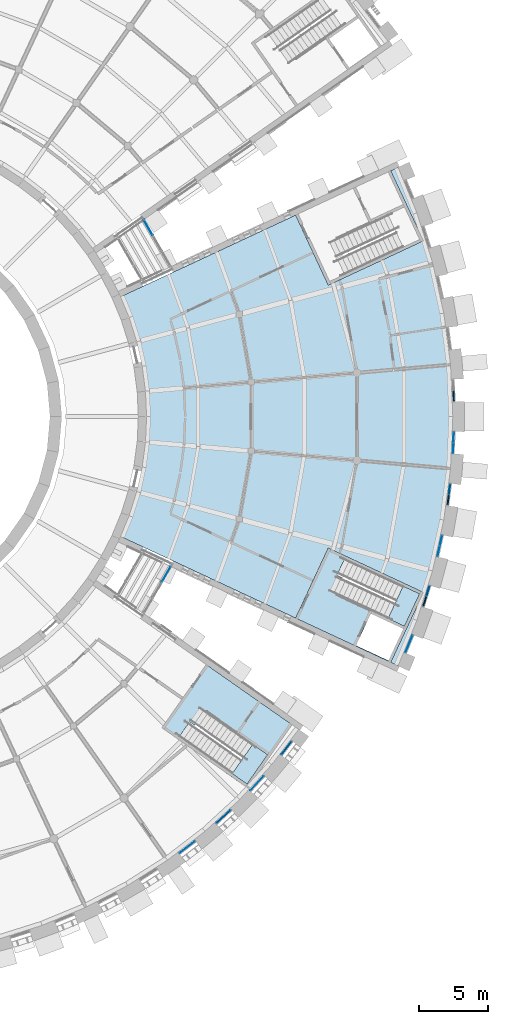
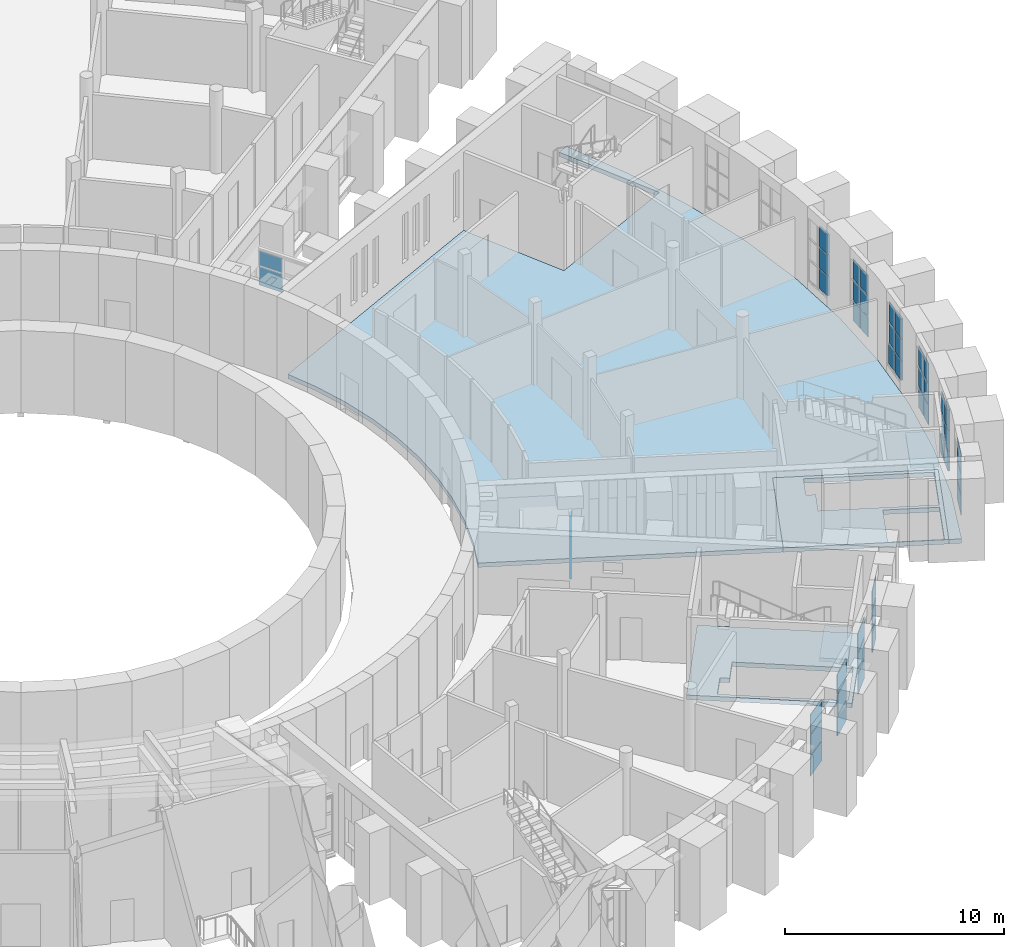
# One storey, part 32 of 66: 47 plates, 5 slabs, 14 elements without a shape of their own.
"""IFC4 building model written with IfcOpenShell, lengths in metres."""

import ifcopenshell
import ifcopenshell.guid

model = None  # the IFC model being written
_history = None  # IfcOwnerHistory: only IFC2X3 demands one
_inside = {}  # id of a spatial element -> (the spatial element, [elements in it])
_under = {}  # id of a project, library or spatial element -> (it, [spatial elements below it])
_declared = {}  # id of a project -> (the project, [libraries it declares])
_typed = {}  # id of a type object -> (the type object, [elements of that type])
_made_of = {}  # id of a material, layer set ... -> (it, [elements and type objects made of it])


def new_model(schema):
    """Start an empty IFC model of exactly this schema.

    Asked for "IFC4X3", IfcOpenShell would pick the latest addendum, in which some entities
    have other attributes; the version numbers below select the first issue.
    IFC2X3 requires an IfcOwnerHistory on every rooted entity: one is made here for all.
    """
    global model, _history
    if schema == "IFC4X3":
        model = ifcopenshell.file(schema_version=(4, 3, 0, 0))
    else:
        model = ifcopenshell.file(schema=schema)
    _inside.clear()
    _under.clear()
    _declared.clear()
    _typed.clear()
    _made_of.clear()
    _history = None
    if model.schema == "IFC2X3":
        org = make("IfcOrganization", Name="unknown")
        user = make(
            "IfcPersonAndOrganization",
            ThePerson=make("IfcPerson", FamilyName="unknown"),
            TheOrganization=org,
        )
        app = make(
            "IfcApplication",
            ApplicationDeveloper=org,
            Version="unknown",
            ApplicationFullName="unknown",
            ApplicationIdentifier="unknown",
        )
        _history = make(
            "IfcOwnerHistory",
            OwningUser=user,
            OwningApplication=app,
            ChangeAction="ADDED",
            CreationDate=0,
        )
    return model


def make(cls, **values):
    """One entity of the class cls with the attributes given. An attribute that is None is left unset."""
    return model.create_entity(
        cls, **{name: value for name, value in values.items() if value is not None}
    )


def rooted(cls, **values):
    """An entity with a GlobalId (a new one), such as an element, a storey or a relation."""
    return make(cls, GlobalId=ifcopenshell.guid.new(), OwnerHistory=_history, **values)


def si_unit(unit_type, name, prefix=None):
    """IfcSIUnit, for example si_unit("LENGTHUNIT", "METRE", prefix="MILLI")."""
    return make("IfcSIUnit", UnitType=unit_type, Prefix=prefix, Name=name)


def assignment(units):
    """IfcUnitAssignment: the units of a project."""
    return None if units is None else make("IfcUnitAssignment", Units=units)


def point(xyz):
    """IfcCartesianPoint."""
    return None if xyz is None else make("IfcCartesianPoint", Coordinates=xyz)


def direction(xyz):
    """IfcDirection."""
    return None if xyz is None else make("IfcDirection", DirectionRatios=xyz)


def frame(location, z_axis=None, x_axis=None):
    """IfcAxis2Placement3D, a coordinate frame: its origin and axes. An axis left out is left unset."""
    return make(
        "IfcAxis2Placement3D",
        Location=point(location),
        Axis=direction(z_axis),
        RefDirection=direction(x_axis),
    )


def frame_2d(location, x_axis=None):
    """IfcAxis2Placement2D, a coordinate frame in the plane: its origin and x axis."""
    return make(
        "IfcAxis2Placement2D", Location=point(location), RefDirection=direction(x_axis)
    )


def origin():
    """The frame at (0, 0, 0) with its axes left unset."""
    return frame((0.0, 0.0, 0.0))


def origin_2d():
    """The frame at (0, 0) in the plane with its x axis left unset."""
    return frame_2d((0.0, 0.0))


def place(relative_to, where):
    """IfcLocalPlacement: puts the frame where relative to a parent placement (None: the world)."""
    return make(
        "IfcLocalPlacement", PlacementRelTo=relative_to, RelativePlacement=where
    )


def context(
    kind, dimensions, precision=None, world=None, true_north=None, identifier=None
):
    """IfcGeometricRepresentationContext, for example the 3D "Model" context."""
    return make(
        "IfcGeometricRepresentationContext",
        ContextIdentifier=identifier,
        ContextType=kind,
        CoordinateSpaceDimension=dimensions,
        Precision=precision,
        WorldCoordinateSystem=world,
        TrueNorth=true_north,
    )


def subcontext(parent, identifier, kind, view, scale=None):
    """IfcGeometricRepresentationSubContext, for example "Body" below "Model"."""
    return make(
        "IfcGeometricRepresentationSubContext",
        ContextIdentifier=identifier,
        ContextType=kind,
        ParentContext=parent,
        TargetScale=scale,
        TargetView=view,
    )


def project(units=None, contexts=None):
    """IfcProject with its units and contexts."""
    return rooted(
        "IfcProject",
        Name="project",
        RepresentationContexts=contexts,
        UnitsInContext=assignment(units),
    )


def spatial(cls, under=None, at=None, **own):
    """A site, building, storey or space (cls), placed at a placement, below another one or the project."""
    s = rooted(cls, ObjectPlacement=at, **own)
    if under is not None:
        _under.setdefault(under.id(), (under, []))[1].append(s)
    return s


def polyline(points):
    """IfcPolyline through the points."""
    return make("IfcPolyline", Points=[point(p) for p in points])


def profile(cls, at=None, kind="AREA", **sizes):
    """A parametric profile (cls). Its sizes go by their IFC names, for example OverallWidth=200.0."""
    return make(cls, ProfileType=kind, Position=at, **sizes)


def rectangle(**sizes):
    """IfcRectangleProfileDef."""
    return profile("IfcRectangleProfileDef", **sizes)


def outline(outer, holes=None, kind="AREA"):
    """IfcArbitraryClosedProfileDef: a profile drawn as a closed curve; with holes, ...WithVoids."""
    if holes is None:
        return make("IfcArbitraryClosedProfileDef", ProfileType=kind, OuterCurve=outer)
    return make(
        "IfcArbitraryProfileDefWithVoids",
        ProfileType=kind,
        OuterCurve=outer,
        InnerCurves=holes,
    )


def extrude(swept, where, along, depth):
    """IfcExtrudedAreaSolid: the profile swept, set in the frame where, extruded along a direction by depth."""
    return make(
        "IfcExtrudedAreaSolid",
        SweptArea=swept,
        Position=where,
        ExtrudedDirection=direction(along),
        Depth=depth,
    )


def shape(context_of_items, identifier, shape_type, items):
    """IfcShapeRepresentation: the items that make up one representation, for example the "Body"."""
    return make(
        "IfcShapeRepresentation",
        ContextOfItems=context_of_items,
        RepresentationIdentifier=identifier,
        RepresentationType=shape_type,
        Items=items,
    )


def material(Name=None, Category=None):
    """IfcMaterial."""
    return make("IfcMaterial", Name=Name, Category=Category)


def layer(
    of_material, thickness, ventilated=None, Name=None, Category=None, Priority=None
):
    """IfcMaterialLayer: one layer of a wall or slab, of a material (None: an air gap)."""
    return make(
        "IfcMaterialLayer",
        Material=of_material,
        LayerThickness=thickness,
        IsVentilated=ventilated,
        Name=Name,
        Category=Category,
        Priority=Priority,
    )


def layer_set(layers, Name=None):
    """IfcMaterialLayerSet."""
    return make("IfcMaterialLayerSet", MaterialLayers=layers, LayerSetName=Name)


def made_of(thing, what):
    """Note that an element or type object is made of a material, layer set ...; save() writes the relation."""
    if what is not None:
        _made_of.setdefault(what.id(), (what, []))[1].append(thing)
    return thing


def type_object(cls, material=None, **own):
    """A type object (cls), such as IfcWallType, which elements share."""
    return made_of(rooted(cls, **own), material)


def element(
    cls,
    number,
    at=None,
    inside=None,
    cuts=None,
    type_object=None,
    material=None,
    context=None,
    identifier="Body",
    shape_type=None,
    held_by="IfcProductDefinitionShape",
    body=None,
    shapes=None,
    **own,
):
    """One element of the class cls, such as IfcWall. Its Tag is "e" and its number.

    at: its placement. inside: the storey or other place that contains it. cuts: it is an
    opening in that element (IfcRelVoidsElement). A single representation is given by context,
    identifier, shape_type and body (its items); several are given by shapes. held_by: the class
    of the entity that holds the representations. save() writes the other relations.
    """
    e = rooted(cls, Tag="e%d" % number, ObjectPlacement=at, **own)
    if body is not None:
        shapes = [shape(context, identifier, shape_type, body)]
    if shapes is not None:
        e.Representation = make(held_by, Representations=shapes)
    if inside is not None:
        _inside.setdefault(inside.id(), (inside, []))[1].append(e)
    if cuts is not None:
        rooted(
            "IfcRelVoidsElement", RelatingBuildingElement=cuts, RelatedOpeningElement=e
        )
    if type_object is not None:
        _typed.setdefault(type_object.id(), (type_object, []))[1].append(e)
    return made_of(e, material)


def aggregate(whole, parts):
    """IfcRelAggregates: a whole, such as a stair, and the parts it consists of."""
    return rooted("IfcRelAggregates", RelatingObject=whole, RelatedObjects=parts)


def save(model, path):
    """Write the relations noted so far, then the file.

    IfcRelAggregates (storeys below a building ...), IfcRelContainedInSpatialStructure (elements
    in a storey), IfcRelDefinesByType, IfcRelAssociatesMaterial and IfcRelDeclares: one each for
    every whole, place, type object, material and project.
    """
    for whole, parts in _under.values():
        aggregate(whole, parts)
    for where, things in _inside.values():
        rooted(
            "IfcRelContainedInSpatialStructure",
            RelatedElements=things,
            RelatingStructure=where,
        )
    for kind, things in _typed.values():
        rooted("IfcRelDefinesByType", RelatedObjects=things, RelatingType=kind)
    for what, things in _made_of.values():
        rooted("IfcRelAssociatesMaterial", RelatedObjects=things, RelatingMaterial=what)
    for by, libraries in _declared.values():
        rooted("IfcRelDeclares", RelatingContext=by, RelatedDefinitions=libraries)
    model.write(path)


model = new_model("IFC4")

# Units and contexts
model_context = context("Model", 3, precision=1e-05, world=origin(), true_north=direction((0.0, 1.0)))
body_context = subcontext(model_context, "Body", "Model", "MODEL_VIEW")
ifc_project = project(units=[si_unit("LENGTHUNIT", "METRE"), si_unit("AREAUNIT", "SQUARE_METRE"), si_unit("VOLUMEUNIT", "CUBIC_METRE"), si_unit("PLANEANGLEUNIT", "RADIAN"), si_unit("MASSUNIT", "GRAM", prefix="KILO")], contexts=[model_context])

# Site, building, storey
site_placement = place(None, origin())
site = spatial("IfcSite", under=ifc_project, at=site_placement, CompositionType="ELEMENT")
building_placement = place(site_placement, origin())
building = spatial("IfcBuilding", under=site, at=building_placement, Name="Volute Hill Aquarium", CompositionType="ELEMENT")
storey_placement = place(building_placement, frame((0.0, 0.0, 4.60009765625)))
storey = spatial("IfcBuildingStorey", under=building, at=storey_placement, Name="L02", CompositionType="ELEMENT", Elevation=4.60009765625)

# Curtain wall, plates
ifc_material_1 = material(Name="Aluminium and glass", Category="aluminium")
ifc_layer_1 = layer(ifc_material_1, 0.1201171875)
ifc_layer_set_1 = layer_set([ifc_layer_1], Name="Bridge curtain wall")
curtain_wall_type_1 = type_object("IfcCurtainWallType", Name="Bridge curtain wall", PredefinedType="NOTDEFINED", material=ifc_layer_set_1)
curtain_wall_1_placement = place(storey_placement, origin())
curtain_wall_1 = element("IfcCurtainWall", 1, at=curtain_wall_1_placement, inside=storey, type_object=curtain_wall_type_1, Name="br/SC4/L02/cwb", PredefinedType="NOTDEFINED")
ifc_material_2 = material(Name="Laminated glass", Category="glass")
ifc_layer_2 = layer(ifc_material_2, 0.028076171875)
ifc_layer_set_2 = layer_set([ifc_layer_2], Name="Bridge glass panel 28")
plate_type_1 = type_object("IfcPlateType", Name="Bridge glass panel 28", PredefinedType="CURTAIN_PANEL", material=ifc_layer_set_2)
plate_1_placement = place(storey_placement, frame((22.4306640625, -11.428955078125, 0.06005859375), z_axis=(0.0, 0.0, 1.0), x_axis=(0.50000541072, 0.866022279881, 0.0)))
plate_1 = element("IfcPlate", 2, at=plate_1_placement, type_object=plate_type_1, Name="BR5 panel 3.1", PredefinedType="CURTAIN_PANEL", context=body_context, shape_type="SweptSolid", body=[
    extrude(rectangle(XDim=1.242431640625, YDim=0.028076171875, at=origin_2d()), origin(), (0.0, 0.0, 1.0), 0.909912109375),
])
plate_2_placement = place(storey_placement, frame((22.4306640625, -11.428955078125, 1.02978515625), z_axis=(0.0, 0.0, 1.0), x_axis=(0.50000541072, 0.866022279881, 0.0)))
plate_2 = element("IfcPlate", 3, at=plate_2_placement, type_object=plate_type_1, Name="BR5 panel 3.2", PredefinedType="CURTAIN_PANEL", context=body_context, shape_type="SweptSolid", body=[
    extrude(rectangle(XDim=1.242431640625, YDim=0.028076171875, at=origin_2d()), origin(), (0.0, 0.0, 1.0), 1.0400390625),
])
plate_3_placement = place(storey_placement, frame((22.4306640625, -11.428955078125, 2.1298828125), z_axis=(0.0, 0.0, 1.0), x_axis=(0.50000541072, 0.866022279881, 0.0)))
plate_3 = element("IfcPlate", 4, at=plate_3_placement, type_object=plate_type_1, Name="BR5 panel 3.3", PredefinedType="CURTAIN_PANEL", context=body_context, shape_type="SweptSolid", body=[
    extrude(rectangle(XDim=1.242431640625, YDim=0.028076171875, at=origin_2d()), origin(), (0.0, 0.0, 1.0), 0.81005859375),
])
aggregate(curtain_wall_1, [plate_1, plate_2, plate_3])

curtain_wall_2_placement = place(storey_placement, origin())
curtain_wall_2 = element("IfcCurtainWall", 5, at=curtain_wall_2_placement, inside=storey, type_object=curtain_wall_type_1, Name="br/SC5/L02/cwb", PredefinedType="NOTDEFINED")
plate_4_placement = place(storey_placement, frame((21.113037109375, 13.7109375, 1.02978515625), z_axis=(0.0, 0.0, 1.0), x_axis=(-0.50000541072, 0.866022279881, 0.0)))
plate_4 = element("IfcPlate", 6, at=plate_4_placement, type_object=plate_type_1, Name="BR5 panel 3.2", PredefinedType="CURTAIN_PANEL", context=body_context, shape_type="SweptSolid", body=[
    extrude(rectangle(XDim=1.242431640625, YDim=0.028076171875, at=origin_2d()), origin(), (0.0, 0.0, 1.0), 1.0400390625),
])
plate_5_placement = place(storey_placement, frame((21.113037109375, 13.7109375, 2.1298828125), z_axis=(0.0, 0.0, 1.0), x_axis=(-0.50000541072, 0.866022279881, 0.0)))
plate_5 = element("IfcPlate", 7, at=plate_5_placement, type_object=plate_type_1, Name="BR5 panel 3.3", PredefinedType="CURTAIN_PANEL", context=body_context, shape_type="SweptSolid", body=[
    extrude(rectangle(XDim=1.242431640625, YDim=0.028076171875, at=origin_2d()), origin(), (0.0, 0.0, 1.0), 0.81005859375),
])
aggregate(curtain_wall_2, [plate_4, plate_5])

# Slabs
ifc_material_3 = material(Name="Concrete C30/37", Category="concrete")
ifc_layer_3 = layer(ifc_material_3, 0.25)
ifc_layer_set_3 = layer_set([ifc_layer_3], Name="Core floor slab 250")
slab_type_1 = type_object("IfcSlabType", Name="Core floor slab 250", PredefinedType="FLOOR", material=ifc_layer_set_3)
slab_1_placement = place(storey_placement, frame((0.0, 0.0, -0.25)))
element("IfcSlab", 8, at=slab_1_placement, inside=storey, type_object=slab_type_1, Name="cs/S3-B/L02", PredefinedType="FLOOR", context=body_context, shape_type="SweptSolid", body=[
    extrude(outline(polyline([(22.10791015625, -22.560546875), (28.33349609375, -26.919921875), (31.54541015625, -22.33251953125), (25.320068359375, -17.973388671875), (22.10791015625, -22.560546875)]), holes=[polyline([(25.2294921875, -21.328125), (29.775634765625, -24.511474609375), (28.284423828125, -26.641357421875), (23.37109375, -23.200927734375), (24.11669921875, -22.135986328125), (24.483642578125, -22.39306640625), (25.2294921875, -21.328125)])]), origin(), (0.0, 0.0, 1.0), 0.25),
])
slab_2_placement = place(storey_placement, frame((0.0, 0.0, -0.25)))
element("IfcSlab", 9, at=slab_2_placement, inside=storey, type_object=slab_type_1, Name="cs/S4-A/L02", PredefinedType="FLOOR", context=body_context, shape_type="SweptSolid", body=[
    extrude(outline(polyline([(31.805419921875, -14.6103515625), (38.693115234375, -17.822265625), (41.059814453125, -12.7470703125), (34.172119140625, -9.53515625), (31.805419921875, -14.6103515625)]), holes=[polyline([(37.25439453125, -14.282470703125), (39.61083984375, -15.38134765625), (38.533203125, -17.6923828125), (36.1767578125, -16.593505859375), (37.25439453125, -14.282470703125)]), polyline([(35.214599609375, -11.676513671875), (34.80859375, -11.487060546875), (35.358154296875, -10.308837890625), (40.794189453125, -12.84375), (39.6953125, -15.2001953125), (34.665283203125, -12.8544921875), (35.214599609375, -11.676513671875)])]), origin(), (0.0, 0.0, 1.0), 0.25),
])

# Curtain wall, plates
ifc_material_4 = material(Name="Aluminium", Category="aluminium")
ifc_layer_4 = layer(ifc_material_4, 0.25)
ifc_layer_set_4 = layer_set([ifc_layer_4], Name="Curtain wall niche S3 module 1489")
curtain_wall_type_2 = type_object("IfcCurtainWallType", Name="Curtain wall niche S3 module 1489", PredefinedType="NOTDEFINED", material=ifc_layer_set_4)
curtain_wall_3_placement = place(storey_placement, origin())
curtain_wall_3 = element("IfcCurtainWall", 10, at=curtain_wall_3_placement, inside=storey, type_object=curtain_wall_type_2, Name="Curtain wall CW S3 L02 7", PredefinedType="NOTDEFINED")
ifc_material_5 = material(Name="Glass, low-iron laminated", Category="glass")
ifc_layer_5 = layer(ifc_material_5, 0.031982421875)
ifc_layer_set_5 = layer_set([ifc_layer_5], Name="Curtain wall glass panel S3 32")
plate_type_2 = type_object("IfcPlateType", Name="Curtain wall glass panel S3 32", PredefinedType="CURTAIN_PANEL", material=ifc_layer_set_5)
plate_6_placement = place(storey_placement, frame((23.947021484375, -31.208251953125, 0.510009765625), z_axis=(0.0, 0.0, 1.0), x_axis=(0.793364531663, 0.608746843851, 0.0)))
plate_6 = element("IfcPlate", 11, at=plate_6_placement, type_object=plate_type_2, Name="CW panel 1.1", PredefinedType="CURTAIN_PANEL", context=body_context, shape_type="SweptSolid", body=[
    extrude(rectangle(XDim=1.369140625, YDim=0.031982421875, at=origin_2d()), origin(), (0.0, 0.0, 1.0), 1.09326171875),
])
plate_7_placement = place(storey_placement, frame((23.947021484375, -31.208251953125, 1.6630859375), z_axis=(0.0, 0.0, 1.0), x_axis=(0.793364531663, 0.608746843851, 0.0)))
plate_7 = element("IfcPlate", 12, at=plate_7_placement, type_object=plate_type_2, Name="CW panel 1.2", PredefinedType="CURTAIN_PANEL", context=body_context, shape_type="SweptSolid", body=[
    extrude(rectangle(XDim=1.369140625, YDim=0.031982421875, at=origin_2d()), origin(), (0.0, 0.0, 1.0), 1.123291015625),
])
plate_8_placement = place(storey_placement, frame((23.947021484375, -31.208251953125, 2.8466796875), z_axis=(0.0, 0.0, 1.0), x_axis=(0.793364531663, 0.608746843851, 0.0)))
plate_8 = element("IfcPlate", 13, at=plate_8_placement, type_object=plate_type_2, Name="CW panel 1.3", PredefinedType="CURTAIN_PANEL", context=body_context, shape_type="SweptSolid", body=[
    extrude(rectangle(XDim=1.369140625, YDim=0.031982421875, at=origin_2d()), origin(), (0.0, 0.0, 1.0), 1.09326171875),
])
aggregate(curtain_wall_3, [plate_6, plate_7, plate_8])

curtain_wall_4_placement = place(storey_placement, origin())
curtain_wall_4 = element("IfcCurtainWall", 14, at=curtain_wall_4_placement, inside=storey, type_object=curtain_wall_type_2, Name="Curtain wall CW S3 L02 8", PredefinedType="NOTDEFINED")
plate_9_placement = place(storey_placement, frame((26.57568359375, -29.00244140625, 1.6630859375), z_axis=(0.0, 0.0, 1.0), x_axis=(0.73725642731, 0.675613025622, 0.0)))
plate_9 = element("IfcPlate", 15, at=plate_9_placement, type_object=plate_type_2, Name="CW panel 1.2", PredefinedType="CURTAIN_PANEL", context=body_context, shape_type="SweptSolid", body=[
    extrude(rectangle(XDim=1.369140625, YDim=0.031982421875, at=origin_2d()), origin(), (0.0, 0.0, 1.0), 1.123291015625),
])
plate_10_placement = place(storey_placement, frame((26.57568359375, -29.00244140625, 2.8466796875), z_axis=(0.0, 0.0, 1.0), x_axis=(0.73725642731, 0.675613025622, 0.0)))
plate_10 = element("IfcPlate", 16, at=plate_10_placement, type_object=plate_type_2, Name="CW panel 1.3", PredefinedType="CURTAIN_PANEL", context=body_context, shape_type="SweptSolid", body=[
    extrude(rectangle(XDim=1.369140625, YDim=0.031982421875, at=origin_2d()), origin(), (0.0, 0.0, 1.0), 1.09326171875),
])

curtain_wall_5_placement = place(storey_placement, origin())
curtain_wall_5 = element("IfcCurtainWall", 17, at=curtain_wall_5_placement, inside=storey, type_object=curtain_wall_type_2, Name="Curtain wall CW S3 L02 9", PredefinedType="NOTDEFINED")
plate_11_placement = place(storey_placement, frame((29.00244140625, -26.575927734375, 0.510009765625), z_axis=(0.0, 0.0, 1.0), x_axis=(0.675609375694, 0.737259772044, 0.0)))
plate_11 = element("IfcPlate", 18, at=plate_11_placement, type_object=plate_type_2, Name="CW panel 1.1", PredefinedType="CURTAIN_PANEL", context=body_context, shape_type="SweptSolid", body=[
    extrude(rectangle(XDim=1.369140625, YDim=0.031982421875, at=origin_2d()), origin(), (0.0, 0.0, 1.0), 1.09326171875),
])
plate_12_placement = place(storey_placement, frame((29.00244140625, -26.575927734375, 1.6630859375), z_axis=(0.0, 0.0, 1.0), x_axis=(0.675609375694, 0.737259772044, 0.0)))
plate_12 = element("IfcPlate", 19, at=plate_12_placement, type_object=plate_type_2, Name="CW panel 1.2", PredefinedType="CURTAIN_PANEL", context=body_context, shape_type="SweptSolid", body=[
    extrude(rectangle(XDim=1.369140625, YDim=0.031982421875, at=origin_2d()), origin(), (0.0, 0.0, 1.0), 1.123291015625),
])
plate_13_placement = place(storey_placement, frame((29.00244140625, -26.575927734375, 2.8466796875), z_axis=(0.0, 0.0, 1.0), x_axis=(0.675609375694, 0.737259772044, 0.0)))
plate_13 = element("IfcPlate", 20, at=plate_13_placement, type_object=plate_type_2, Name="CW panel 1.3", PredefinedType="CURTAIN_PANEL", context=body_context, shape_type="SweptSolid", body=[
    extrude(rectangle(XDim=1.369140625, YDim=0.031982421875, at=origin_2d()), origin(), (0.0, 0.0, 1.0), 1.09326171875),
])
aggregate(curtain_wall_5, [plate_11, plate_12, plate_13])

ifc_material_6 = material(Name="Aluminium", Category="aluminium")
ifc_layer_6 = layer(ifc_material_6, 0.25)
ifc_layer_set_6 = layer_set([ifc_layer_6], Name="Curtain wall niche S3 module 1289")
curtain_wall_type_3 = type_object("IfcCurtainWallType", Name="Curtain wall niche S3 module 1289", PredefinedType="NOTDEFINED", material=ifc_layer_set_6)
curtain_wall_6_placement = place(storey_placement, origin())
curtain_wall_6 = element("IfcCurtainWall", 21, at=curtain_wall_6_placement, inside=storey, type_object=curtain_wall_type_3, Name="Curtain wall CW S3 L02 10", PredefinedType="NOTDEFINED")
plate_14_placement = place(storey_placement, frame((31.1474609375, -24.0263671875, 1.6630859375), z_axis=(0.0, 0.0, 1.0), x_axis=(0.608745324064, 0.79336569779, 0.0)))
plate_14 = element("IfcPlate", 22, at=plate_14_placement, type_object=plate_type_2, Name="CW panel 1.2", PredefinedType="CURTAIN_PANEL", context=body_context, shape_type="SweptSolid", body=[
    extrude(rectangle(XDim=1.169189453125, YDim=0.031982421875, at=origin_2d()), origin(), (0.0, 0.0, 1.0), 1.123291015625),
])
plate_15_placement = place(storey_placement, frame((31.1474609375, -24.0263671875, 2.8466796875), z_axis=(0.0, 0.0, 1.0), x_axis=(0.608745324064, 0.79336569779, 0.0)))
plate_15 = element("IfcPlate", 23, at=plate_15_placement, type_object=plate_type_2, Name="CW panel 1.3", PredefinedType="CURTAIN_PANEL", context=body_context, shape_type="SweptSolid", body=[
    extrude(rectangle(XDim=1.169189453125, YDim=0.031982421875, at=origin_2d()), origin(), (0.0, 0.0, 1.0), 1.09326171875),
])

ifc_material_7 = material(Name="Aluminium", Category="aluminium")
ifc_layer_7 = layer(ifc_material_7, 0.25)
ifc_layer_set_7 = layer_set([ifc_layer_7], Name="Curtain wall niche S4 module 1437")
curtain_wall_type_4 = type_object("IfcCurtainWallType", Name="Curtain wall niche S4 module 1437", PredefinedType="NOTDEFINED", material=ifc_layer_set_7)
curtain_wall_7_placement = place(storey_placement, origin())
curtain_wall_7 = element("IfcCurtainWall", 24, at=curtain_wall_7_placement, inside=storey, type_object=curtain_wall_type_4, Name="Curtain wall CW S4 L02 1", PredefinedType="NOTDEFINED")
ifc_material_8 = material(Name="Glass, low-iron laminated", Category="glass")
ifc_layer_8 = layer(ifc_material_8, 0.031982421875)
ifc_layer_set_8 = layer_set([ifc_layer_8], Name="Curtain wall glass panel S4 32")
plate_type_3 = type_object("IfcPlateType", Name="Curtain wall glass panel S4 32", PredefinedType="CURTAIN_PANEL", material=ifc_layer_set_8)
plate_16_placement = place(storey_placement, frame((40.027099609375, -16.471435546875, 0.510009765625), z_axis=(0.0, 0.0, 1.0), x_axis=(0.38269714514, 0.923873852375, 0.0)))
plate_16 = element("IfcPlate", 25, at=plate_16_placement, type_object=plate_type_3, Name="CW panel 1.1", PredefinedType="CURTAIN_PANEL", context=body_context, shape_type="SweptSolid", body=[
    extrude(rectangle(XDim=1.317138671875, YDim=0.031982421875, at=origin_2d()), origin(), (0.0, 0.0, 1.0), 1.09326171875),
])
plate_17_placement = place(storey_placement, frame((40.027099609375, -16.471435546875, 1.6630859375), z_axis=(0.0, 0.0, 1.0), x_axis=(0.38269714514, 0.923873852375, 0.0)))
plate_17 = element("IfcPlate", 26, at=plate_17_placement, type_object=plate_type_3, Name="CW panel 1.2", PredefinedType="CURTAIN_PANEL", context=body_context, shape_type="SweptSolid", body=[
    extrude(rectangle(XDim=1.317138671875, YDim=0.031982421875, at=origin_2d()), origin(), (0.0, 0.0, 1.0), 1.123291015625),
])
plate_18_placement = place(storey_placement, frame((40.027099609375, -16.471435546875, 2.8466796875), z_axis=(0.0, 0.0, 1.0), x_axis=(0.38269714514, 0.923873852375, 0.0)))
plate_18 = element("IfcPlate", 27, at=plate_18_placement, type_object=plate_type_3, Name="CW panel 1.3", PredefinedType="CURTAIN_PANEL", context=body_context, shape_type="SweptSolid", body=[
    extrude(rectangle(XDim=1.317138671875, YDim=0.031982421875, at=origin_2d()), origin(), (0.0, 0.0, 1.0), 1.09326171875),
])
aggregate(curtain_wall_7, [plate_16, plate_17, plate_18])

ifc_material_9 = material(Name="Aluminium", Category="aluminium")
ifc_layer_9 = layer(ifc_material_9, 0.25)
ifc_layer_set_9 = layer_set([ifc_layer_9], Name="Curtain wall niche S4 module 819")
curtain_wall_type_5 = type_object("IfcCurtainWallType", Name="Curtain wall niche S4 module 819", PredefinedType="NOTDEFINED", material=ifc_layer_set_9)
curtain_wall_8_placement = place(storey_placement, origin())
curtain_wall_8 = element("IfcCurtainWall", 28, at=curtain_wall_8_placement, inside=storey, type_object=curtain_wall_type_5, Name="Curtain wall CW S4 L02 2", PredefinedType="NOTDEFINED")
plate_19_placement = place(storey_placement, frame((41.398681640625, -12.639404296875, 1.6630859375), z_axis=(0.0, 0.0, 1.0), x_axis=(0.300709576466, 0.953715759869, 0.0)))
plate_19 = element("IfcPlate", 29, at=plate_19_placement, type_object=plate_type_3, Name="CW panel 2.2", PredefinedType="CURTAIN_PANEL", context=body_context, shape_type="SweptSolid", body=[
    extrude(rectangle(XDim=0.728759765625, YDim=0.031982421875, at=origin_2d()), origin(), (0.0, 0.0, 1.0), 1.123291015625),
])
plate_20_placement = place(storey_placement, frame((41.398681640625, -12.639404296875, 2.8466796875), z_axis=(0.0, 0.0, 1.0), x_axis=(0.300709576466, 0.953715759869, 0.0)))
plate_20 = element("IfcPlate", 30, at=plate_20_placement, type_object=plate_type_3, Name="CW panel 2.3", PredefinedType="CURTAIN_PANEL", context=body_context, shape_type="SweptSolid", body=[
    extrude(rectangle(XDim=0.728759765625, YDim=0.031982421875, at=origin_2d()), origin(), (0.0, 0.0, 1.0), 1.09326171875),
])

curtain_wall_9_placement = place(storey_placement, origin())
curtain_wall_9 = element("IfcCurtainWall", 31, at=curtain_wall_9_placement, inside=storey, type_object=curtain_wall_type_5, Name="Curtain wall CW S4 L02 3", PredefinedType="NOTDEFINED")
plate_21_placement = place(storey_placement, frame((42.172119140625, -9.75341796875, 0.510009765625), z_axis=(0.0, 0.0, 1.0), x_axis=(0.216431869204, 0.976297724054, 0.0)))
plate_21 = element("IfcPlate", 32, at=plate_21_placement, type_object=plate_type_3, Name="CW panel 1.1", PredefinedType="CURTAIN_PANEL", context=body_context, shape_type="SweptSolid", body=[
    extrude(rectangle(XDim=0.728759765625, YDim=0.031982421875, at=origin_2d()), origin(), (0.0, 0.0, 1.0), 1.09326171875),
])
plate_22_placement = place(storey_placement, frame((42.172119140625, -9.75341796875, 1.6630859375), z_axis=(0.0, 0.0, 1.0), x_axis=(0.216431869204, 0.976297724054, 0.0)))
plate_22 = element("IfcPlate", 33, at=plate_22_placement, type_object=plate_type_3, Name="CW panel 1.2", PredefinedType="CURTAIN_PANEL", context=body_context, shape_type="SweptSolid", body=[
    extrude(rectangle(XDim=0.728759765625, YDim=0.031982421875, at=origin_2d()), origin(), (0.0, 0.0, 1.0), 1.123291015625),
])
plate_23_placement = place(storey_placement, frame((42.172119140625, -9.75341796875, 2.8466796875), z_axis=(0.0, 0.0, 1.0), x_axis=(0.216431869204, 0.976297724054, 0.0)))
plate_23 = element("IfcPlate", 34, at=plate_23_placement, type_object=plate_type_3, Name="CW panel 1.3", PredefinedType="CURTAIN_PANEL", context=body_context, shape_type="SweptSolid", body=[
    extrude(rectangle(XDim=0.728759765625, YDim=0.031982421875, at=origin_2d()), origin(), (0.0, 0.0, 1.0), 1.09326171875),
])
plate_24_placement = place(storey_placement, frame((42.3427734375, -8.9833984375, 0.510009765625), z_axis=(0.0, 0.0, 1.0), x_axis=(0.216431869204, 0.976297724054, 0.0)))
plate_24 = element("IfcPlate", 35, at=plate_24_placement, type_object=plate_type_3, Name="CW panel 2.1", PredefinedType="CURTAIN_PANEL", context=body_context, shape_type="SweptSolid", body=[
    extrude(rectangle(XDim=0.728759765625, YDim=0.031982421875, at=origin_2d()), origin(), (0.0, 0.0, 1.0), 1.09326171875),
])
plate_25_placement = place(storey_placement, frame((42.3427734375, -8.9833984375, 1.6630859375), z_axis=(0.0, 0.0, 1.0), x_axis=(0.216431869204, 0.976297724054, 0.0)))
plate_25 = element("IfcPlate", 36, at=plate_25_placement, type_object=plate_type_3, Name="CW panel 2.2", PredefinedType="CURTAIN_PANEL", context=body_context, shape_type="SweptSolid", body=[
    extrude(rectangle(XDim=0.728759765625, YDim=0.031982421875, at=origin_2d()), origin(), (0.0, 0.0, 1.0), 1.123291015625),
])
plate_26_placement = place(storey_placement, frame((42.3427734375, -8.9833984375, 2.8466796875), z_axis=(0.0, 0.0, 1.0), x_axis=(0.216431869204, 0.976297724054, 0.0)))
plate_26 = element("IfcPlate", 37, at=plate_26_placement, type_object=plate_type_3, Name="CW panel 2.3", PredefinedType="CURTAIN_PANEL", context=body_context, shape_type="SweptSolid", body=[
    extrude(rectangle(XDim=0.728759765625, YDim=0.031982421875, at=origin_2d()), origin(), (0.0, 0.0, 1.0), 1.09326171875),
])
aggregate(curtain_wall_9, [plate_21, plate_22, plate_23, plate_24, plate_25, plate_26])

curtain_wall_10_placement = place(storey_placement, origin())
curtain_wall_10 = element("IfcCurtainWall", 38, at=curtain_wall_10_placement, inside=storey, type_object=curtain_wall_type_5, Name="Curtain wall CW S4 L02 4", PredefinedType="NOTDEFINED")
plate_27_placement = place(storey_placement, frame((42.964599609375, -5.258544921875, 1.6630859375), z_axis=(0.0, 0.0, 1.0), x_axis=(0.130515808269, 0.991446228392, 0.0)))
plate_27 = element("IfcPlate", 39, at=plate_27_placement, type_object=plate_type_3, Name="CW panel 2.2", PredefinedType="CURTAIN_PANEL", context=body_context, shape_type="SweptSolid", body=[
    extrude(rectangle(XDim=0.728759765625, YDim=0.031982421875, at=origin_2d()), origin(), (0.0, 0.0, 1.0), 1.123291015625),
])
plate_28_placement = place(storey_placement, frame((42.964599609375, -5.258544921875, 2.8466796875), z_axis=(0.0, 0.0, 1.0), x_axis=(0.130515808269, 0.991446228392, 0.0)))
plate_28 = element("IfcPlate", 40, at=plate_28_placement, type_object=plate_type_3, Name="CW panel 2.3", PredefinedType="CURTAIN_PANEL", context=body_context, shape_type="SweptSolid", body=[
    extrude(rectangle(XDim=0.728759765625, YDim=0.031982421875, at=origin_2d()), origin(), (0.0, 0.0, 1.0), 1.09326171875),
])

curtain_wall_11_placement = place(storey_placement, origin())
curtain_wall_11 = element("IfcCurtainWall", 41, at=curtain_wall_11_placement, inside=storey, type_object=curtain_wall_type_5, Name="Curtain wall CW S4 L02 5", PredefinedType="NOTDEFINED")
plate_29_placement = place(storey_placement, frame((43.22509765625, -2.281982421875, 0.510009765625), z_axis=(0.0, 0.0, 1.0), x_axis=(0.043616644488, 0.999048341335, 0.0)))
plate_29 = element("IfcPlate", 42, at=plate_29_placement, type_object=plate_type_3, Name="CW panel 1.1", PredefinedType="CURTAIN_PANEL", context=body_context, shape_type="SweptSolid", body=[
    extrude(rectangle(XDim=0.728759765625, YDim=0.031982421875, at=origin_2d()), origin(), (0.0, 0.0, 1.0), 1.09326171875),
])
plate_30_placement = place(storey_placement, frame((43.22509765625, -2.281982421875, 1.6630859375), z_axis=(0.0, 0.0, 1.0), x_axis=(0.043616644488, 0.999048341335, 0.0)))
plate_30 = element("IfcPlate", 43, at=plate_30_placement, type_object=plate_type_3, Name="CW panel 1.2", PredefinedType="CURTAIN_PANEL", context=body_context, shape_type="SweptSolid", body=[
    extrude(rectangle(XDim=0.728759765625, YDim=0.031982421875, at=origin_2d()), origin(), (0.0, 0.0, 1.0), 1.123291015625),
])
plate_31_placement = place(storey_placement, frame((43.22509765625, -2.281982421875, 2.8466796875), z_axis=(0.0, 0.0, 1.0), x_axis=(0.043616644488, 0.999048341335, 0.0)))
plate_31 = element("IfcPlate", 44, at=plate_31_placement, type_object=plate_type_3, Name="CW panel 1.3", PredefinedType="CURTAIN_PANEL", context=body_context, shape_type="SweptSolid", body=[
    extrude(rectangle(XDim=0.728759765625, YDim=0.031982421875, at=origin_2d()), origin(), (0.0, 0.0, 1.0), 1.09326171875),
])
plate_32_placement = place(storey_placement, frame((43.259521484375, -1.493896484375, 0.510009765625), z_axis=(0.0, 0.0, 1.0), x_axis=(0.043616644488, 0.999048341335, 0.0)))
plate_32 = element("IfcPlate", 45, at=plate_32_placement, type_object=plate_type_3, Name="CW panel 2.1", PredefinedType="CURTAIN_PANEL", context=body_context, shape_type="SweptSolid", body=[
    extrude(rectangle(XDim=0.728759765625, YDim=0.031982421875, at=origin_2d()), origin(), (0.0, 0.0, 1.0), 1.09326171875),
])
plate_33_placement = place(storey_placement, frame((43.259521484375, -1.493896484375, 1.6630859375), z_axis=(0.0, 0.0, 1.0), x_axis=(0.043616644488, 0.999048341335, 0.0)))
plate_33 = element("IfcPlate", 46, at=plate_33_placement, type_object=plate_type_3, Name="CW panel 2.2", PredefinedType="CURTAIN_PANEL", context=body_context, shape_type="SweptSolid", body=[
    extrude(rectangle(XDim=0.728759765625, YDim=0.031982421875, at=origin_2d()), origin(), (0.0, 0.0, 1.0), 1.123291015625),
])
plate_34_placement = place(storey_placement, frame((43.259521484375, -1.493896484375, 2.8466796875), z_axis=(0.0, 0.0, 1.0), x_axis=(0.043616644488, 0.999048341335, 0.0)))
plate_34 = element("IfcPlate", 47, at=plate_34_placement, type_object=plate_type_3, Name="CW panel 2.3", PredefinedType="CURTAIN_PANEL", context=body_context, shape_type="SweptSolid", body=[
    extrude(rectangle(XDim=0.728759765625, YDim=0.031982421875, at=origin_2d()), origin(), (0.0, 0.0, 1.0), 1.09326171875),
])
aggregate(curtain_wall_11, [plate_29, plate_30, plate_31, plate_32, plate_33, plate_34])

# Plate
ifc_material_10 = material(Name="Aluminium", Category="aluminium")
ifc_layer_10 = layer(ifc_material_10, 0.10009765625)
ifc_layer_set_10 = layer_set([ifc_layer_10], Name="Curtain wall insulated spandrel panel 100")
plate_type_4 = type_object("IfcPlateType", Name="Curtain wall insulated spandrel panel 100", PredefinedType="CURTAIN_PANEL", material=ifc_layer_set_10)
plate_35_placement = place(storey_placement, frame((41.16162109375, -13.391845703125, 0.510009765625), z_axis=(0.0, 0.0, 1.0), x_axis=(0.300709576466, 0.953715759869, 0.0)))
plate_35 = element("IfcPlate", 48, at=plate_35_placement, type_object=plate_type_4, Name="CW panel 1.1", PredefinedType="CURTAIN_PANEL", context=body_context, shape_type="SweptSolid", body=[
    extrude(rectangle(XDim=0.728759765625, YDim=0.10009765625, at=origin_2d()), origin(), (0.0, 0.0, 1.0), 1.09326171875),
])

plate_36_placement = place(storey_placement, frame((41.16162109375, -13.391845703125, 1.6630859375), z_axis=(0.0, 0.0, 1.0), x_axis=(0.300709576466, 0.953715759869, 0.0)))
plate_36 = element("IfcPlate", 49, at=plate_36_placement, type_object=plate_type_4, Name="CW panel 1.2", PredefinedType="CURTAIN_PANEL", context=body_context, shape_type="SweptSolid", body=[
    extrude(rectangle(XDim=0.728759765625, YDim=0.10009765625, at=origin_2d()), origin(), (0.0, 0.0, 1.0), 1.123291015625),
])

plate_37_placement = place(storey_placement, frame((41.16162109375, -13.391845703125, 2.8466796875), z_axis=(0.0, 0.0, 1.0), x_axis=(0.300709576466, 0.953715759869, 0.0)))
plate_37 = element("IfcPlate", 50, at=plate_37_placement, type_object=plate_type_4, Name="CW panel 1.3", PredefinedType="CURTAIN_PANEL", context=body_context, shape_type="SweptSolid", body=[
    extrude(rectangle(XDim=0.728759765625, YDim=0.10009765625, at=origin_2d()), origin(), (0.0, 0.0, 1.0), 1.09326171875),
])

plate_38_placement = place(storey_placement, frame((41.398681640625, -12.639404296875, 0.510009765625), z_axis=(0.0, 0.0, 1.0), x_axis=(0.300709576466, 0.953715759869, 0.0)))
plate_38 = element("IfcPlate", 51, at=plate_38_placement, type_object=plate_type_4, Name="CW panel 2.1", PredefinedType="CURTAIN_PANEL", context=body_context, shape_type="SweptSolid", body=[
    extrude(rectangle(XDim=0.728759765625, YDim=0.10009765625, at=origin_2d()), origin(), (0.0, 0.0, 1.0), 1.09326171875),
])

aggregate(curtain_wall_8, [plate_35, plate_36, plate_37, plate_38, plate_19, plate_20])

plate_39_placement = place(storey_placement, frame((42.86181640625, -6.04052734375, 0.510009765625), z_axis=(0.0, 0.0, 1.0), x_axis=(0.130515808269, 0.991446228392, 0.0)))
plate_39 = element("IfcPlate", 52, at=plate_39_placement, type_object=plate_type_4, Name="CW panel 1.1", PredefinedType="CURTAIN_PANEL", context=body_context, shape_type="SweptSolid", body=[
    extrude(rectangle(XDim=0.728759765625, YDim=0.10009765625, at=origin_2d()), origin(), (0.0, 0.0, 1.0), 1.09326171875),
])

plate_40_placement = place(storey_placement, frame((42.86181640625, -6.04052734375, 1.6630859375), z_axis=(0.0, 0.0, 1.0), x_axis=(0.130515808269, 0.991446228392, 0.0)))
plate_40 = element("IfcPlate", 53, at=plate_40_placement, type_object=plate_type_4, Name="CW panel 1.2", PredefinedType="CURTAIN_PANEL", context=body_context, shape_type="SweptSolid", body=[
    extrude(rectangle(XDim=0.728759765625, YDim=0.10009765625, at=origin_2d()), origin(), (0.0, 0.0, 1.0), 1.123291015625),
])

plate_41_placement = place(storey_placement, frame((42.86181640625, -6.04052734375, 2.8466796875), z_axis=(0.0, 0.0, 1.0), x_axis=(0.130515808269, 0.991446228392, 0.0)))
plate_41 = element("IfcPlate", 54, at=plate_41_placement, type_object=plate_type_4, Name="CW panel 1.3", PredefinedType="CURTAIN_PANEL", context=body_context, shape_type="SweptSolid", body=[
    extrude(rectangle(XDim=0.728759765625, YDim=0.10009765625, at=origin_2d()), origin(), (0.0, 0.0, 1.0), 1.09326171875),
])

plate_42_placement = place(storey_placement, frame((42.964599609375, -5.258544921875, 0.510009765625), z_axis=(0.0, 0.0, 1.0), x_axis=(0.130515808269, 0.991446228392, 0.0)))
plate_42 = element("IfcPlate", 55, at=plate_42_placement, type_object=plate_type_4, Name="CW panel 2.1", PredefinedType="CURTAIN_PANEL", context=body_context, shape_type="SweptSolid", body=[
    extrude(rectangle(XDim=0.728759765625, YDim=0.10009765625, at=origin_2d()), origin(), (0.0, 0.0, 1.0), 1.09326171875),
])

aggregate(curtain_wall_10, [plate_39, plate_40, plate_41, plate_42, plate_27, plate_28])

# Curtain wall, plates
curtain_wall_12_placement = place(storey_placement, origin())
curtain_wall_12 = element("IfcCurtainWall", 56, at=curtain_wall_12_placement, inside=storey, type_object=curtain_wall_type_5, Name="Curtain wall CW S4 L02 6", PredefinedType="NOTDEFINED")
plate_43_placement = place(storey_placement, frame((43.259521484375, 1.494140625, 0.510009765625), z_axis=(0.0, 0.0, 1.0), x_axis=(-0.043622739916, 0.999048075201, 0.0)))
plate_43 = element("IfcPlate", 57, at=plate_43_placement, type_object=plate_type_4, Name="CW panel 1.1", PredefinedType="CURTAIN_PANEL", context=body_context, shape_type="SweptSolid", body=[
    extrude(rectangle(XDim=0.728759765625, YDim=0.10009765625, at=origin_2d()), origin(), (0.0, 0.0, 1.0), 1.09326171875),
])
plate_44_placement = place(storey_placement, frame((43.259521484375, 1.494140625, 1.6630859375), z_axis=(0.0, 0.0, 1.0), x_axis=(-0.043622739916, 0.999048075201, 0.0)))
plate_44 = element("IfcPlate", 58, at=plate_44_placement, type_object=plate_type_4, Name="CW panel 1.2", PredefinedType="CURTAIN_PANEL", context=body_context, shape_type="SweptSolid", body=[
    extrude(rectangle(XDim=0.728759765625, YDim=0.10009765625, at=origin_2d()), origin(), (0.0, 0.0, 1.0), 1.123291015625),
])
plate_45_placement = place(storey_placement, frame((43.259521484375, 1.494140625, 2.8466796875), z_axis=(0.0, 0.0, 1.0), x_axis=(-0.043622739916, 0.999048075201, 0.0)))
plate_45 = element("IfcPlate", 59, at=plate_45_placement, type_object=plate_type_4, Name="CW panel 1.3", PredefinedType="CURTAIN_PANEL", context=body_context, shape_type="SweptSolid", body=[
    extrude(rectangle(XDim=0.728759765625, YDim=0.10009765625, at=origin_2d()), origin(), (0.0, 0.0, 1.0), 1.09326171875),
])
aggregate(curtain_wall_12, [plate_43, plate_44, plate_45])

# Plate
ifc_material_11 = material(Name="Aluminium", Category="aluminium")
ifc_layer_11 = layer(ifc_material_11, 0.06005859375)
ifc_layer_set_11 = layer_set([ifc_layer_11], Name="Curtain wall insulated spandrel panel 60")
plate_type_5 = type_object("IfcPlateType", Name="Curtain wall insulated spandrel panel 60", PredefinedType="CURTAIN_PANEL", material=ifc_layer_set_11)
plate_46_placement = place(storey_placement, frame((26.57568359375, -29.00244140625, 0.510009765625), z_axis=(0.0, 0.0, 1.0), x_axis=(0.73725642731, 0.675613025622, 0.0)))
plate_46 = element("IfcPlate", 60, at=plate_46_placement, type_object=plate_type_5, Name="CW panel 1.1", PredefinedType="CURTAIN_PANEL", context=body_context, shape_type="SweptSolid", body=[
    extrude(rectangle(XDim=1.369140625, YDim=0.06005859375, at=origin_2d()), origin(), (0.0, 0.0, 1.0), 1.09326171875),
])

aggregate(curtain_wall_4, [plate_46, plate_9, plate_10])

plate_47_placement = place(storey_placement, frame((31.1474609375, -24.0263671875, 0.510009765625), z_axis=(0.0, 0.0, 1.0), x_axis=(0.608745324064, 0.79336569779, 0.0)))
plate_47 = element("IfcPlate", 61, at=plate_47_placement, type_object=plate_type_5, Name="CW panel 1.1", PredefinedType="CURTAIN_PANEL", context=body_context, shape_type="SweptSolid", body=[
    extrude(rectangle(XDim=1.169189453125, YDim=0.06005859375, at=origin_2d()), origin(), (0.0, 0.0, 1.0), 1.09326171875),
])

aggregate(curtain_wall_6, [plate_47, plate_14, plate_15])

# Slab
ifc_material_12 = material(Name="Concrete C35/45", Category="concrete")
ifc_layer_12 = layer(ifc_material_12, 0.239990234375)
ifc_layer_set_12 = layer_set([ifc_layer_12], Name="Floor slab 240 C35/45")
slab_type_2 = type_object("IfcSlabType", Name="Floor slab 240 C35/45", PredefinedType="FLOOR", material=ifc_layer_set_12)
slab_3_placement = place(storey_placement, frame((0.0, 0.0, -0.239990234375)))
element("IfcSlab", 62, at=slab_3_placement, inside=storey, type_object=slab_type_2, Name="fl/S4/L02/1", PredefinedType="FLOOR", context=body_context, shape_type="SweptSolid", body=[
    extrude(outline(polyline([(40.5947265625, 14.775390625), (41.72802734375, 11.180908203125), (42.543701171875, 7.501708984375), (43.03564453125, 3.76513671875), (43.199951171875, 0.0), (43.03564453125, -3.76513671875), (42.543701171875, -7.501708984375), (41.72802734375, -11.180908203125), (40.5947265625, -14.775390625), (39.22900390625, -18.072265625), (38.693115234375, -17.822265625), (41.059814453125, -12.7470703125), (34.172119140625, -9.53515625), (31.805419921875, -14.6103515625), (19.109130859375, -8.68994140625), (19.7333984375, -7.182373046875), (20.284423828125, -5.435302734375), (20.680908203125, -3.646484375), (20.920166015625, -1.830322265625), (21.0, 0.0), (20.920166015625, 1.830322265625), (20.680908203125, 3.646484375), (20.284423828125, 5.435302734375), (19.7333984375, 7.182373046875), (19.109130859375, 8.68994140625), (31.805419921875, 14.6103515625), (34.172119140625, 9.53515625), (41.059814453125, 12.7470703125), (38.693115234375, 17.822265625), (39.22900390625, 18.072265625), (40.5947265625, 14.775390625)])), origin(), (0.0, 0.0, 1.0), 0.239990234375),
])

# Stair, slab
ifc_material_13 = material(Name="Concrete C35/45", Category="concrete")
stair_type = type_object("IfcStairType", Name="Stair C35/45", PredefinedType="HALF_TURN_STAIR", material=ifc_material_13)
stair_1_placement = place(storey_placement, origin())
stair_1 = element("IfcStair", 63, at=stair_1_placement, inside=storey, type_object=stair_type, Name="ST/S3-B/L02", PredefinedType="HALF_TURN_STAIR")
ifc_material_14 = material(Name="Concrete C35/45", Category="concrete")
ifc_layer_13 = layer(ifc_material_14, 0.199951171875)
ifc_layer_set_13 = layer_set([ifc_layer_13], Name="Stair landing C35/45 200")
slab_type_3 = type_object("IfcSlabType", Name="Stair landing C35/45 200", PredefinedType="LANDING", material=ifc_layer_set_13)
slab_4_placement = place(storey_placement, frame((0.0, 0.0, 2.099853515625)))
slab_4 = element("IfcSlab", 64, at=slab_4_placement, type_object=slab_type_3, Name="ST-S3-B-02 landing 1", PredefinedType="LANDING", context=body_context, shape_type="SweptSolid", body=[
    extrude(outline(polyline([(27.201416015625, -25.883056640625), (28.284423828125, -26.641357421875), (29.775634765625, -24.511474609375), (28.692626953125, -23.753173828125), (27.201416015625, -25.883056640625)])), origin(), (0.0, 0.0, 1.0), 0.199951171875),
])
aggregate(stair_1, [slab_4])

stair_2_placement = place(storey_placement, origin())
stair_2 = element("IfcStair", 65, at=stair_2_placement, inside=storey, type_object=stair_type, Name="ST/S4-A/L02", PredefinedType="HALF_TURN_STAIR")
slab_5_placement = place(storey_placement, frame((0.0, 0.0, 2.099853515625)))
slab_5 = element("IfcSlab", 66, at=slab_5_placement, type_object=slab_type_3, Name="ST-S4-A-02 landing 1", PredefinedType="LANDING", context=body_context, shape_type="SweptSolid", body=[
    extrude(outline(polyline([(38.497314453125, -14.641357421875), (39.6953125, -15.2001953125), (40.794189453125, -12.84375), (39.595947265625, -12.284912109375), (38.497314453125, -14.641357421875)])), origin(), (0.0, 0.0, 1.0), 0.199951171875),
])
aggregate(stair_2, [slab_5])

save(model, "model.ifc")
